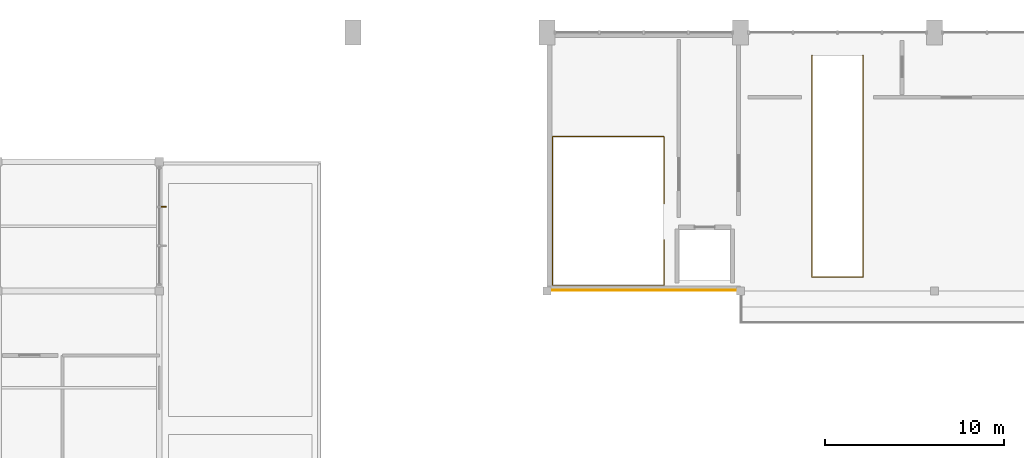
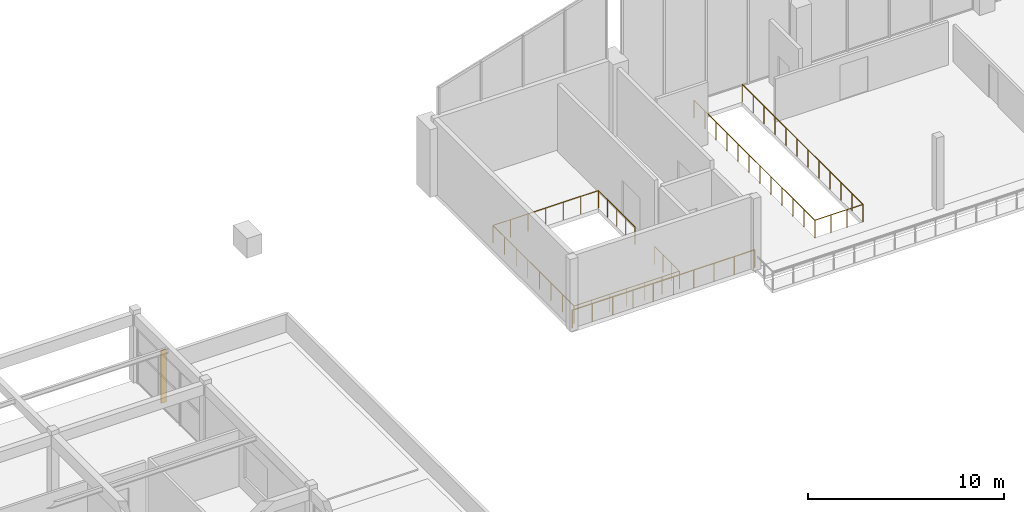
# One storey, part 82 of 89: 3 railings, 1 shading device.
"""IFC4 building model written with IfcOpenShell, lengths in metres."""

from ifc_helpers import new_model, si_unit, direction, frame, origin, origin_2d, place, context, subcontext, project, spatial, rectangle, circle, extrude, material, type_object, element, save


model = new_model("IFC4")

# Units and contexts
model_context = context("Model", 3, precision=1e-05, world=origin(), true_north=direction((0.0, 1.0)))
body_context = subcontext(model_context, "Body", "Model", "MODEL_VIEW")
ifc_project = project(units=[si_unit("LENGTHUNIT", "METRE"), si_unit("AREAUNIT", "SQUARE_METRE"), si_unit("VOLUMEUNIT", "CUBIC_METRE"), si_unit("PLANEANGLEUNIT", "RADIAN"), si_unit("MASSUNIT", "GRAM", prefix="KILO")], contexts=[model_context])

# Site, building, storey
site_placement = place(None, origin())
site = spatial("IfcSite", under=ifc_project, at=site_placement, CompositionType="ELEMENT")
building_placement = place(site_placement, origin())
building = spatial("IfcBuilding", under=site, at=building_placement, Name="Suirenkawa Promenade Aquatics Centre", CompositionType="ELEMENT")
storey_placement = place(building_placement, frame((0.0, 0.0, 9.60009765625)))
storey = spatial("IfcBuildingStorey", under=building, at=storey_placement, Name="L02", CompositionType="ELEMENT", Elevation=9.60009765625)

# Railings
ifc_material_1 = material(Name="Marine-grade stainless steel Grade 316L", Category="steel")
railing_type_1 = type_object("IfcRailingType", Name="RLT-BALUSTRADE-1120", PredefinedType="BALUSTRADE", material=ifc_material_1)
railing_1_placement = place(storey_placement, frame((57.639892578125, 108.0400390625, 0.0)))
element("IfcRailing", 1, at=railing_1_placement, inside=storey, type_object=railing_type_1, Name="Balustrade BAL-01 RL-0424", PredefinedType="BALUSTRADE", context=body_context, shape_type="SweptSolid", body=[
    extrude(circle(Radius=0.02392578125, at=origin_2d()), frame((0.0, 0.0, 1.09619140625), z_axis=(1.0, 0.0, 0.0), x_axis=(0.0, 1.0, 0.0)), (0.0, 0.0, 1.0), 10.760009765625),
    extrude(circle(Radius=0.02099609375, at=origin_2d()), origin(), (0.0, 0.0, 1.0), 1.072021484375),
    extrude(circle(Radius=0.02099609375, at=origin_2d()), frame((1.195556640625, 0.0, 0.0)), (0.0, 0.0, 1.0), 1.072021484375),
    extrude(circle(Radius=0.02099609375, at=origin_2d()), frame((2.39111328125, 0.0, 0.0)), (0.0, 0.0, 1.0), 1.072021484375),
    extrude(circle(Radius=0.02099609375, at=origin_2d()), frame((3.586669921875, 0.0, 0.0)), (0.0, 0.0, 1.0), 1.072021484375),
    extrude(circle(Radius=0.02099609375, at=origin_2d()), frame((4.7822265625, 0.0, 0.0)), (0.0, 0.0, 1.0), 1.072021484375),
    extrude(circle(Radius=0.02099609375, at=origin_2d()), frame((5.977783203125, 0.0, 0.0)), (0.0, 0.0, 1.0), 1.072021484375),
    extrude(circle(Radius=0.02099609375, at=origin_2d()), frame((7.17333984375, 0.0, 0.0)), (0.0, 0.0, 1.0), 1.072021484375),
    extrude(circle(Radius=0.02099609375, at=origin_2d()), frame((8.368896484375, 0.0, 0.0)), (0.0, 0.0, 1.0), 1.072021484375),
    extrude(circle(Radius=0.02099609375, at=origin_2d()), frame((9.564453125, 0.0, 0.0)), (0.0, 0.0, 1.0), 1.072021484375),
    extrude(circle(Radius=0.02099609375, at=origin_2d()), frame((10.760009765625, 0.0, 0.0)), (0.0, 0.0, 1.0), 1.072021484375),
])
railing_type_2 = type_object("IfcRailingType", Name="RLT-GUARD-1120", PredefinedType="GUARDRAIL", material=ifc_material_1)
railing_2_placement = place(storey_placement, frame((72.3798828125, 121.1201171875, 0.0)))
element("IfcRailing", 2, at=railing_2_placement, inside=storey, type_object=railing_type_2, Name="Guardrail GRD-01 RL-0401", PredefinedType="GUARDRAIL", context=body_context, shape_type="SweptSolid", body=[
    extrude(circle(Radius=0.02392578125, at=origin_2d()), frame((0.0, 0.0, 1.09619140625), z_axis=(0.0, -1.0, 0.0), x_axis=(1.0, 0.0, 0.0)), (0.0, 0.0, 1.0), 12.340087890625),
    extrude(circle(Radius=0.02392578125, at=origin_2d()), frame((0.0, -12.340087890625, 1.09619140625), z_axis=(1.0, 0.0, 0.0), x_axis=(0.0, 1.0, 0.0)), (0.0, 0.0, 1.0), 2.840087890625),
    extrude(circle(Radius=0.02392578125, at=origin_2d()), frame((2.840087890625, -12.340087890625, 1.09619140625), z_axis=(0.0, 1.0, 0.0), x_axis=(-1.0, 0.0, 0.0)), (0.0, 0.0, 1.0), 12.340087890625),
    extrude(circle(Radius=0.02099609375, at=origin_2d()), origin(), (0.0, 0.0, 1.0), 1.072021484375),
    extrude(circle(Radius=0.02099609375, at=origin_2d()), frame((0.0, -1.121826171875, 0.0)), (0.0, 0.0, 1.0), 1.072021484375),
    extrude(circle(Radius=0.02099609375, at=origin_2d()), frame((0.0, -2.24365234375, 0.0)), (0.0, 0.0, 1.0), 1.072021484375),
    extrude(circle(Radius=0.02099609375, at=origin_2d()), frame((0.0, -3.365478515625, 0.0)), (0.0, 0.0, 1.0), 1.072021484375),
    extrude(circle(Radius=0.02099609375, at=origin_2d()), frame((0.0, -4.4873046875, 0.0)), (0.0, 0.0, 1.0), 1.072021484375),
    extrude(circle(Radius=0.02099609375, at=origin_2d()), frame((0.0, -5.609130859375, 0.0)), (0.0, 0.0, 1.0), 1.072021484375),
    extrude(circle(Radius=0.02099609375, at=origin_2d()), frame((0.0, -6.73095703125, 0.0)), (0.0, 0.0, 1.0), 1.072021484375),
    extrude(circle(Radius=0.02099609375, at=origin_2d()), frame((0.0, -7.852783203125, 0.0)), (0.0, 0.0, 1.0), 1.072021484375),
    extrude(circle(Radius=0.02099609375, at=origin_2d()), frame((0.0, -8.974609375, 0.0)), (0.0, 0.0, 1.0), 1.072021484375),
    extrude(circle(Radius=0.02099609375, at=origin_2d()), frame((0.0, -10.096435546875, 0.0)), (0.0, 0.0, 1.0), 1.072021484375),
    extrude(circle(Radius=0.02099609375, at=origin_2d()), frame((0.0, -11.21826171875, 0.0)), (0.0, 0.0, 1.0), 1.072021484375),
    extrude(circle(Radius=0.02099609375, at=origin_2d()), frame((0.0, -12.340087890625, 0.0)), (0.0, 0.0, 1.0), 1.072021484375),
    extrude(circle(Radius=0.02099609375, at=origin_2d()), frame((0.94677734375, -12.340087890625, 0.0)), (0.0, 0.0, 1.0), 1.072021484375),
    extrude(circle(Radius=0.02099609375, at=origin_2d()), frame((1.893310546875, -12.340087890625, 0.0)), (0.0, 0.0, 1.0), 1.072021484375),
    extrude(circle(Radius=0.02099609375, at=origin_2d()), frame((2.840087890625, -12.340087890625, 0.0)), (0.0, 0.0, 1.0), 1.072021484375),
    extrude(circle(Radius=0.02099609375, at=origin_2d()), frame((2.840087890625, -11.21826171875, 0.0)), (0.0, 0.0, 1.0), 1.072021484375),
    extrude(circle(Radius=0.02099609375, at=origin_2d()), frame((2.840087890625, -10.096435546875, 0.0)), (0.0, 0.0, 1.0), 1.072021484375),
    extrude(circle(Radius=0.02099609375, at=origin_2d()), frame((2.840087890625, -8.974609375, 0.0)), (0.0, 0.0, 1.0), 1.072021484375),
    extrude(circle(Radius=0.02099609375, at=origin_2d()), frame((2.840087890625, -7.852783203125, 0.0)), (0.0, 0.0, 1.0), 1.072021484375),
    extrude(circle(Radius=0.02099609375, at=origin_2d()), frame((2.840087890625, -6.73095703125, 0.0)), (0.0, 0.0, 1.0), 1.072021484375),
    extrude(circle(Radius=0.02099609375, at=origin_2d()), frame((2.840087890625, -5.609130859375, 0.0)), (0.0, 0.0, 1.0), 1.072021484375),
    extrude(circle(Radius=0.02099609375, at=origin_2d()), frame((2.840087890625, -4.4873046875, 0.0)), (0.0, 0.0, 1.0), 1.072021484375),
    extrude(circle(Radius=0.02099609375, at=origin_2d()), frame((2.840087890625, -3.365478515625, 0.0)), (0.0, 0.0, 1.0), 1.072021484375),
    extrude(circle(Radius=0.02099609375, at=origin_2d()), frame((2.840087890625, -2.24365234375, 0.0)), (0.0, 0.0, 1.0), 1.072021484375),
    extrude(circle(Radius=0.02099609375, at=origin_2d()), frame((2.840087890625, -1.121826171875, 0.0)), (0.0, 0.0, 1.0), 1.072021484375),
    extrude(circle(Radius=0.02099609375, at=origin_2d()), frame((2.840087890625, 0.0, 0.0)), (0.0, 0.0, 1.0), 1.072021484375),
])
railing_3_placement = place(storey_placement, frame((64.1298828125, 112.860107421875, 0.0)))
element("IfcRailing", 3, at=railing_3_placement, inside=storey, type_object=railing_type_2, Name="Guardrail GRD-01 RL-0414", PredefinedType="GUARDRAIL", context=body_context, shape_type="SweptSolid", body=[
    extrude(circle(Radius=0.02392578125, at=origin_2d()), frame((0.0, 0.0, 1.09619140625), z_axis=(0.0, 1.0, 0.0), x_axis=(-1.0, 0.0, 0.0)), (0.0, 0.0, 1.0), 3.739990234375),
    extrude(circle(Radius=0.02392578125, at=origin_2d()), frame((0.0, 3.739990234375, 1.09619140625), z_axis=(-1.0, 0.0, 0.0), x_axis=(0.0, -1.0, 0.0)), (0.0, 0.0, 1.0), 6.2099609375),
    extrude(circle(Radius=0.02392578125, at=origin_2d()), frame((-6.2099609375, 3.739990234375, 1.09619140625), z_axis=(0.0, -1.0, 0.0), x_axis=(1.0, 0.0, 0.0)), (0.0, 0.0, 1.0), 8.280029296875),
    extrude(circle(Radius=0.02392578125, at=origin_2d()), frame((-6.2099609375, -4.5400390625, 1.09619140625), z_axis=(1.0, 0.0, 0.0), x_axis=(0.0, 1.0, 0.0)), (0.0, 0.0, 1.0), 6.2099609375),
    extrude(circle(Radius=0.02392578125, at=origin_2d()), frame((0.0, -4.5400390625, 1.09619140625), z_axis=(0.0, 1.0, 0.0), x_axis=(-1.0, 0.0, 0.0)), (0.0, 0.0, 1.0), 2.52001953125),
    extrude(circle(Radius=0.02099609375, at=origin_2d()), origin(), (0.0, 0.0, 1.0), 1.072021484375),
    extrude(circle(Radius=0.02099609375, at=origin_2d()), frame((0.0, 0.93505859375, 0.0)), (0.0, 0.0, 1.0), 1.072021484375),
    extrude(circle(Radius=0.02099609375, at=origin_2d()), frame((0.0, 1.8701171875, 0.0)), (0.0, 0.0, 1.0), 1.072021484375),
    extrude(circle(Radius=0.02099609375, at=origin_2d()), frame((0.0, 2.804931640625, 0.0)), (0.0, 0.0, 1.0), 1.072021484375),
    extrude(circle(Radius=0.02099609375, at=origin_2d()), frame((0.0, 3.739990234375, 0.0)), (0.0, 0.0, 1.0), 1.072021484375),
    extrude(circle(Radius=0.02099609375, at=origin_2d()), frame((-1.034912109375, 3.739990234375, 0.0)), (0.0, 0.0, 1.0), 1.072021484375),
    extrude(circle(Radius=0.02099609375, at=origin_2d()), frame((-2.070068359375, 3.739990234375, 0.0)), (0.0, 0.0, 1.0), 1.072021484375),
    extrude(circle(Radius=0.02099609375, at=origin_2d()), frame((-3.10498046875, 3.739990234375, 0.0)), (0.0, 0.0, 1.0), 1.072021484375),
    extrude(circle(Radius=0.02099609375, at=origin_2d()), frame((-4.139892578125, 3.739990234375, 0.0)), (0.0, 0.0, 1.0), 1.072021484375),
    extrude(circle(Radius=0.02099609375, at=origin_2d()), frame((-5.175048828125, 3.739990234375, 0.0)), (0.0, 0.0, 1.0), 1.072021484375),
    extrude(circle(Radius=0.02099609375, at=origin_2d()), frame((-6.2099609375, 3.739990234375, 0.0)), (0.0, 0.0, 1.0), 1.072021484375),
    extrude(circle(Radius=0.02099609375, at=origin_2d()), frame((-6.2099609375, 2.55712890625, 0.0)), (0.0, 0.0, 1.0), 1.072021484375),
    extrude(circle(Radius=0.02099609375, at=origin_2d()), frame((-6.2099609375, 1.374267578125, 0.0)), (0.0, 0.0, 1.0), 1.072021484375),
    extrude(circle(Radius=0.02099609375, at=origin_2d()), frame((-6.2099609375, 0.19140625, 0.0)), (0.0, 0.0, 1.0), 1.072021484375),
    extrude(circle(Radius=0.02099609375, at=origin_2d()), frame((-6.2099609375, -0.991455078125, 0.0)), (0.0, 0.0, 1.0), 1.072021484375),
    extrude(circle(Radius=0.02099609375, at=origin_2d()), frame((-6.2099609375, -2.17431640625, 0.0)), (0.0, 0.0, 1.0), 1.072021484375),
    extrude(circle(Radius=0.02099609375, at=origin_2d()), frame((-6.2099609375, -3.357177734375, 0.0)), (0.0, 0.0, 1.0), 1.072021484375),
    extrude(circle(Radius=0.02099609375, at=origin_2d()), frame((-6.2099609375, -4.5400390625, 0.0)), (0.0, 0.0, 1.0), 1.072021484375),
    extrude(circle(Radius=0.02099609375, at=origin_2d()), frame((-5.175048828125, -4.5400390625, 0.0)), (0.0, 0.0, 1.0), 1.072021484375),
    extrude(circle(Radius=0.02099609375, at=origin_2d()), frame((-4.139892578125, -4.5400390625, 0.0)), (0.0, 0.0, 1.0), 1.072021484375),
    extrude(circle(Radius=0.02099609375, at=origin_2d()), frame((-3.10498046875, -4.5400390625, 0.0)), (0.0, 0.0, 1.0), 1.072021484375),
    extrude(circle(Radius=0.02099609375, at=origin_2d()), frame((-2.070068359375, -4.5400390625, 0.0)), (0.0, 0.0, 1.0), 1.072021484375),
    extrude(circle(Radius=0.02099609375, at=origin_2d()), frame((-1.034912109375, -4.5400390625, 0.0)), (0.0, 0.0, 1.0), 1.072021484375),
    extrude(circle(Radius=0.02099609375, at=origin_2d()), frame((0.0, -4.5400390625, 0.0)), (0.0, 0.0, 1.0), 1.072021484375),
    extrude(circle(Radius=0.02099609375, at=origin_2d()), frame((0.0, -3.699951171875, 0.0)), (0.0, 0.0, 1.0), 1.072021484375),
    extrude(circle(Radius=0.02099609375, at=origin_2d()), frame((0.0, -2.860107421875, 0.0)), (0.0, 0.0, 1.0), 1.072021484375),
    extrude(circle(Radius=0.02099609375, at=origin_2d()), frame((0.0, -2.02001953125, 0.0)), (0.0, 0.0, 1.0), 1.072021484375),
])

# Shading device
ifc_material_2 = material(Name="Anodised aluminium 6063-T6", Category="aluminium")
shading_device_type = type_object("IfcShadingDeviceType", Name="SDT-KOUSHI-320", PredefinedType="USERDEFINED", material=ifc_material_2)
shading_device_placement = place(storey_placement, frame((36.23193359375, 112.68359375, 0.039794921875), z_axis=(0.0, 0.0, 1.0), x_axis=(1.0, 0.0, 0.0)))
element("IfcShadingDevice", 4, at=shading_device_placement, inside=storey, type_object=shading_device_type, Name="Vertical solar shading fin FN-02 FIN-0192", ObjectType="FIN", PredefinedType="USERDEFINED", context=body_context, shape_type="SweptSolid", body=[
    extrude(rectangle(XDim=0.320068359375, YDim=0.06005859375, at=origin_2d()), origin(), (0.0, 0.0, 1.0), 3.2900390625),
])

save(model, "model.ifc")
